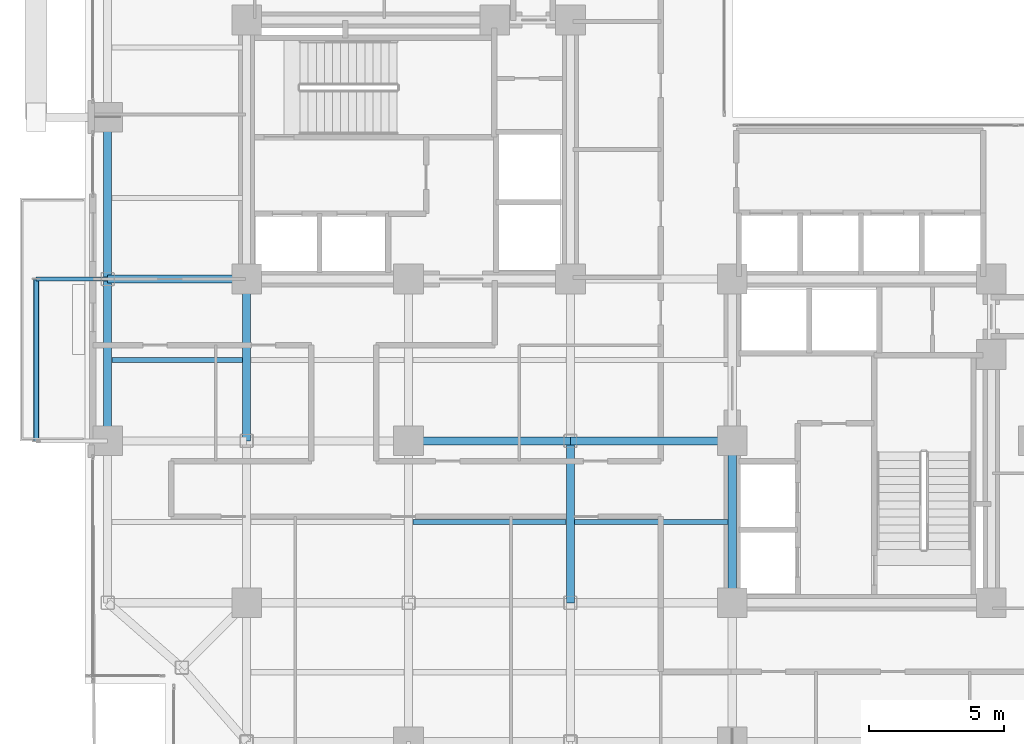
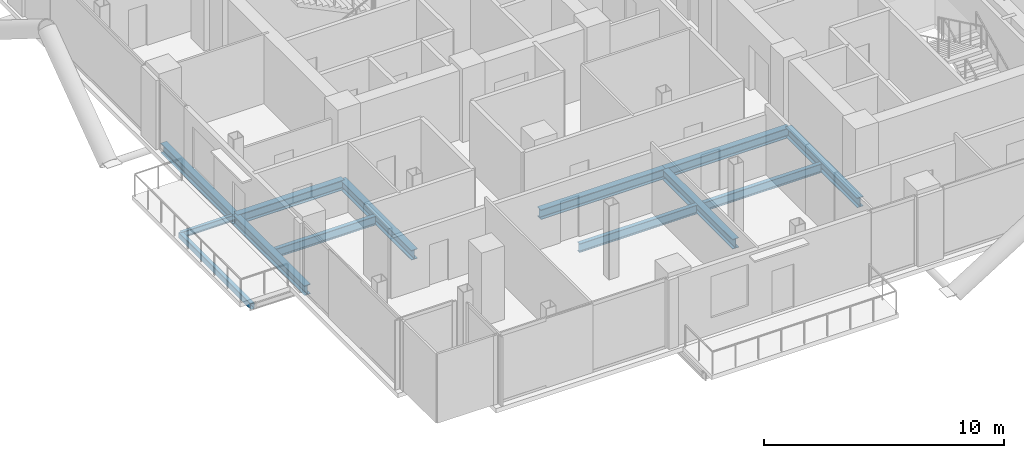
# One storey, part 5 of 24: 13 beams.
"""IFC4 building model written with IfcOpenShell, lengths in metres."""

from ifc_helpers import new_model, si_unit, direction, frame, origin, origin_2d, place, context, subcontext, project, spatial, hollow_rectangle, i_section, extrude, material, material_profile, profile_set, type_object, element, save


model = new_model("IFC4")

# Units and contexts
model_context = context("Model", 3, precision=1e-05, world=origin(), true_north=direction((0.0, 1.0)))
body_context = subcontext(model_context, "Body", "Model", "MODEL_VIEW")
ifc_project = project(units=[si_unit("LENGTHUNIT", "METRE"), si_unit("AREAUNIT", "SQUARE_METRE"), si_unit("VOLUMEUNIT", "CUBIC_METRE"), si_unit("PLANEANGLEUNIT", "RADIAN"), si_unit("MASSUNIT", "GRAM", prefix="KILO"), si_unit("THERMODYNAMICTEMPERATUREUNIT", "KELVIN"), si_unit("POWERUNIT", "WATT")], contexts=[model_context])

# Site, building, storey
site_placement = place(None, origin())
site = spatial("IfcSite", under=ifc_project, at=site_placement, CompositionType="ELEMENT")
building_placement = place(site_placement, origin())
building = spatial("IfcBuilding", under=site, at=building_placement, Name="Svarakhadi Broadcast Tower", CompositionType="ELEMENT")
storey_placement = place(building_placement, frame((0.0, 0.0, 145.64990234375)))
storey = spatial("IfcBuildingStorey", under=building, at=storey_placement, Name="L35", CompositionType="ELEMENT", Elevation=145.64990234375)

# Beams
ifc_material_1 = material(Name="Steel S355J2 (IS 2062 E350C)", Category="steel")
ifc_material_profile_1 = material_profile(ifc_material_1, i_section(OverallWidth=0.18994140625, OverallDepth=0.449951171875, WebThickness=0.009521484375, FlangeThickness=0.0146484375, FilletRadius=0.02099609375, at=origin_2d()), Name="NPB 450x190x78")
ifc_profile_set_1 = profile_set([ifc_material_profile_1], Name="Steel S355J2 (IS 2062 E350C)")
beam_type_1 = type_object("IfcBeamType", Name="Beam_NPB450", PredefinedType="BEAM", material=ifc_profile_set_1)
beam_1_placement = place(storey_placement, frame((1.010009765625, 15.0, -0.449951171875), z_axis=(1.0, 0.0, 0.0), x_axis=(0.0, 1.0, 0.0)))
element("IfcBeam", 1, at=beam_1_placement, inside=storey, type_object=beam_type_1, Name="L35 Secondary Composite Beam SB002", PredefinedType="BEAM", context=body_context, shape_type="SweptSolid", body=[
    extrude(i_section(OverallWidth=0.18994140625, OverallDepth=0.449951171875, WebThickness=0.009521484375, FlangeThickness=0.0146484375, FilletRadius=0.02099609375, at=origin_2d()), origin(), (0.0, 0.0, 1.0), 4.830078125),
])
for number, where, z_axis, x_axis, name in (
    (2, (12.159912109375, 9.0, -0.449951171875), (1.0, 0.0, 0.0), (0.0, 1.0, 0.0), "L35 Secondary Composite Beam SB012"),
    (3, (18.159912109375, 9.0, -0.449951171875), (1.0, 0.0, 0.0), (0.0, 1.0, 0.0), "L35 Secondary Composite Beam SB017"),
):
    element("IfcBeam", number, at=place(storey_placement, frame(where, z_axis=z_axis, x_axis=x_axis)), inside=storey, type_object=beam_type_1, Name=name, PredefinedType="BEAM", context=body_context, shape_type="SweptSolid", body=[
        extrude(i_section(OverallWidth=0.18994140625, OverallDepth=0.449951171875, WebThickness=0.009521484375, FlangeThickness=0.0146484375, FilletRadius=0.02099609375, at=origin_2d()), origin(), (0.0, 0.0, 1.0), 5.68017578125),
    ])
ifc_material_profile_2 = material_profile(ifc_material_1, i_section(OverallWidth=0.300048828125, OverallDepth=0.5, WebThickness=0.014404296875, FlangeThickness=0.028076171875, FilletRadius=0.027099609375, at=origin_2d()), Name="WPB 500x300x187")
ifc_profile_set_2 = profile_set([ifc_material_profile_2], Name="Steel S355J2 (IS 2062 E350C)")
beam_type_2 = type_object("IfcBeamType", Name="Girder_WPB500", PredefinedType="USERDEFINED", material=ifc_profile_set_2)
for number, where, z_axis, x_axis, name in (
    (4, (12.0, 12.0, -0.474853515625), (1.0, 0.0, 0.0), (0.0, 1.0, 0.0), "L35 Primary E-W Girder G019"),
    (5, (18.0, 12.0, -0.474853515625), (1.0, 0.0, 0.0), (0.0, 1.0, 0.0), "L35 Primary E-W Girder G020"),
):
    element("IfcBeam", number, at=place(storey_placement, frame(where, z_axis=z_axis, x_axis=x_axis)), inside=storey, type_object=beam_type_2, Name=name, ObjectType="GIRDER", PredefinedType="USERDEFINED", context=body_context, shape_type="SweptSolid", body=[
        extrude(i_section(OverallWidth=0.300048828125, OverallDepth=0.5, WebThickness=0.014404296875, FlangeThickness=0.028076171875, FilletRadius=0.027099609375, at=origin_2d()), origin(), (0.0, 0.0, 1.0), 6.0),
    ])
beam_2_placement = place(storey_placement, frame((0.85009765625, 18.0, -0.474853515625), z_axis=(1.0, 0.0, 0.0), x_axis=(0.0, 1.0, 0.0)))
element("IfcBeam", 6, at=beam_2_placement, inside=storey, type_object=beam_type_2, Name="L35 Primary E-W Girder G023", ObjectType="GIRDER", PredefinedType="USERDEFINED", context=body_context, shape_type="SweptSolid", body=[
    extrude(i_section(OverallWidth=0.300048828125, OverallDepth=0.5, WebThickness=0.014404296875, FlangeThickness=0.028076171875, FilletRadius=0.027099609375, at=origin_2d()), origin(), (0.0, 0.0, 1.0), 5.14990234375),
])
for number, where, z_axis, x_axis, name in (
    (7, (0.85009765625, 12.0, -0.474853515625), (0.0, 1.0, 0.0), (-1.0, 0.0, 0.0), "L35 Primary N-S Girder G041"),
    (8, (0.85009765625, 18.0, -0.474853515625), (0.0, 1.0, 0.0), (-1.0, 0.0, 0.0), "L35 Primary N-S Girder G042"),
    (9, (6.0, 12.0, -0.474853515625), (0.0, 1.0, 0.0), (-1.0, 0.0, 0.0), "L35 Primary N-S Girder G047"),
    (10, (18.0, 6.0, -0.474853515625), (0.0, 1.0, 0.0), (-1.0, 0.0, 0.0), "L35 Primary N-S Girder G057"),
    (11, (24.0, 6.0, -0.474853515625), (0.0, 1.0, 0.0), (-1.0, 0.0, 0.0), "L35 Primary N-S Girder G063"),
):
    element("IfcBeam", number, at=place(storey_placement, frame(where, z_axis=z_axis, x_axis=x_axis)), inside=storey, type_object=beam_type_2, Name=name, ObjectType="GIRDER", PredefinedType="USERDEFINED", context=body_context, shape_type="SweptSolid", body=[
        extrude(i_section(OverallWidth=0.300048828125, OverallDepth=0.5, WebThickness=0.014404296875, FlangeThickness=0.028076171875, FilletRadius=0.027099609375, at=origin_2d()), origin(), (0.0, 0.0, 1.0), 6.0),
    ])
ifc_material_profile_3 = material_profile(ifc_material_1, i_section(OverallWidth=0.14990234375, OverallDepth=0.300048828125, WebThickness=0.007080078125, FlangeThickness=0.0107421875, FilletRadius=0.014892578125, at=origin_2d()), Name="NPB 300x150x37")
ifc_profile_set_3 = profile_set([ifc_material_profile_3], Name="Steel S355J2 (IS 2062 E350C)")
beam_type_3 = type_object("IfcBeamType", Name="Spandrel_NPB300", PredefinedType="SPANDREL", material=ifc_profile_set_3)
beam_3_placement = place(storey_placement, frame((0.85009765625, 18.0, -0.375), z_axis=(-1.0, 0.0, 0.0), x_axis=(0.0, -1.0, 0.0)))
element("IfcBeam", 12, at=beam_3_placement, inside=storey, type_object=beam_type_3, Name="L35 Balcony Cantilever Bracket 2B", PredefinedType="SPANDREL", context=body_context, shape_type="SweptSolid", body=[
    extrude(i_section(OverallWidth=0.14990234375, OverallDepth=0.300048828125, WebThickness=0.007080078125, FlangeThickness=0.0107421875, FilletRadius=0.014892578125, at=origin_2d()), origin(), (0.0, 0.0, 1.0), 2.650146484375),
])
ifc_material_2 = material(Name="Steel S460ML (IS 2062 E450BR)", Category="steel")
ifc_material_profile_4 = material_profile(ifc_material_2, hollow_rectangle(XDim=0.199951171875, YDim=0.300048828125, WallThickness=0.012451171875, InnerFilletRadius=0.012451171875, OuterFilletRadius=0.02490234375, at=origin_2d()), Name="RHS 300x200x12.5")
ifc_profile_set_4 = profile_set([ifc_material_profile_4], Name="Steel S460ML (IS 2062 E450BR)")
beam_type_4 = type_object("IfcBeamType", Name="Spandrel_RHS300", PredefinedType="SPANDREL", material=ifc_profile_set_4)
beam_4_placement = place(storey_placement, frame((-1.800048828125, 12.0, -0.375), z_axis=(0.0, 1.0, 0.0), x_axis=(-1.0, 0.0, 0.0)))
element("IfcBeam", 13, at=beam_4_placement, inside=storey, type_object=beam_type_4, Name="L35 Balcony Outer Spandrel 2F", PredefinedType="SPANDREL", context=body_context, shape_type="SweptSolid", body=[
    extrude(hollow_rectangle(XDim=0.199951171875, YDim=0.300048828125, WallThickness=0.012451171875, InnerFilletRadius=0.012451171875, OuterFilletRadius=0.02490234375, at=origin_2d()), origin(), (0.0, 0.0, 1.0), 6.0),
])

save(model, "model.ifc")
